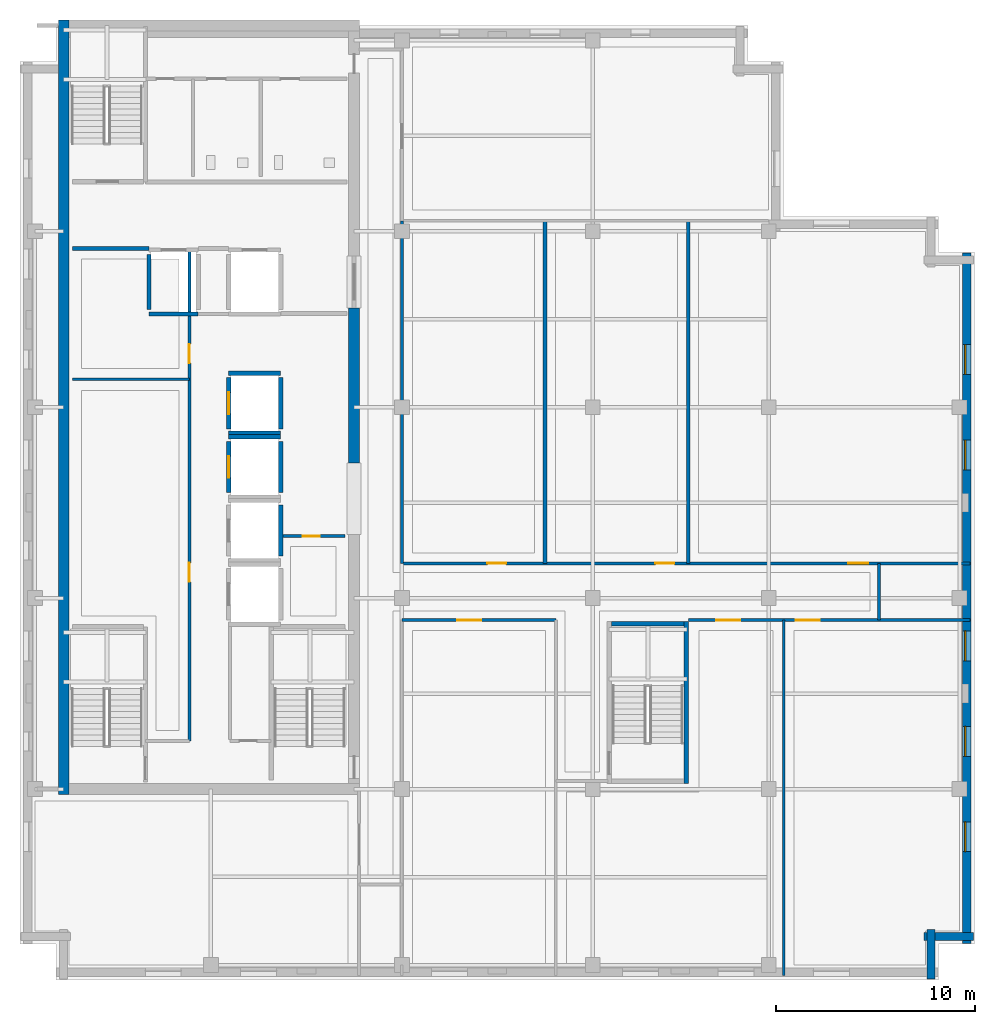
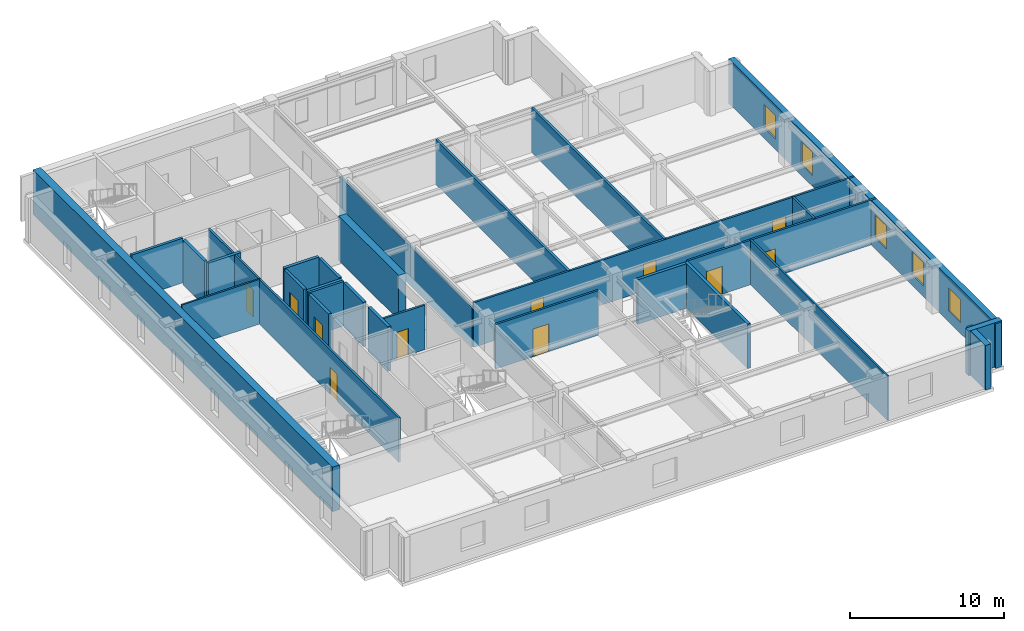
# One storey, part 4 of 10: 29 walls, 11 doors, 5 windows, 16 openings.
"""IFC4 building model written with IfcOpenShell, lengths in metres."""

import ifcopenshell
import ifcopenshell.guid

model = None  # the IFC model being written
_history = None  # IfcOwnerHistory: only IFC2X3 demands one
_inside = {}  # id of a spatial element -> (the spatial element, [elements in it])
_under = {}  # id of a project, library or spatial element -> (it, [spatial elements below it])
_declared = {}  # id of a project -> (the project, [libraries it declares])
_typed = {}  # id of a type object -> (the type object, [elements of that type])
_made_of = {}  # id of a material, layer set ... -> (it, [elements and type objects made of it])


def new_model(schema):
    """Start an empty IFC model of exactly this schema.

    Asked for "IFC4X3", IfcOpenShell would pick the latest addendum, in which some entities
    have other attributes; the version numbers below select the first issue.
    IFC2X3 requires an IfcOwnerHistory on every rooted entity: one is made here for all.
    """
    global model, _history
    if schema == "IFC4X3":
        model = ifcopenshell.file(schema_version=(4, 3, 0, 0))
    else:
        model = ifcopenshell.file(schema=schema)
    _inside.clear()
    _under.clear()
    _declared.clear()
    _typed.clear()
    _made_of.clear()
    _history = None
    if model.schema == "IFC2X3":
        org = make("IfcOrganization", Name="unknown")
        user = make(
            "IfcPersonAndOrganization",
            ThePerson=make("IfcPerson", FamilyName="unknown"),
            TheOrganization=org,
        )
        app = make(
            "IfcApplication",
            ApplicationDeveloper=org,
            Version="unknown",
            ApplicationFullName="unknown",
            ApplicationIdentifier="unknown",
        )
        _history = make(
            "IfcOwnerHistory",
            OwningUser=user,
            OwningApplication=app,
            ChangeAction="ADDED",
            CreationDate=0,
        )
    return model


def make(cls, **values):
    """One entity of the class cls with the attributes given. An attribute that is None is left unset."""
    return model.create_entity(
        cls, **{name: value for name, value in values.items() if value is not None}
    )


def rooted(cls, **values):
    """An entity with a GlobalId (a new one), such as an element, a storey or a relation."""
    return make(cls, GlobalId=ifcopenshell.guid.new(), OwnerHistory=_history, **values)


def si_unit(unit_type, name, prefix=None):
    """IfcSIUnit, for example si_unit("LENGTHUNIT", "METRE", prefix="MILLI")."""
    return make("IfcSIUnit", UnitType=unit_type, Prefix=prefix, Name=name)


def assignment(units):
    """IfcUnitAssignment: the units of a project."""
    return None if units is None else make("IfcUnitAssignment", Units=units)


def point(xyz):
    """IfcCartesianPoint."""
    return None if xyz is None else make("IfcCartesianPoint", Coordinates=xyz)


def direction(xyz):
    """IfcDirection."""
    return None if xyz is None else make("IfcDirection", DirectionRatios=xyz)


def frame(location, z_axis=None, x_axis=None):
    """IfcAxis2Placement3D, a coordinate frame: its origin and axes. An axis left out is left unset."""
    return make(
        "IfcAxis2Placement3D",
        Location=point(location),
        Axis=direction(z_axis),
        RefDirection=direction(x_axis),
    )


def frame_2d(location, x_axis=None):
    """IfcAxis2Placement2D, a coordinate frame in the plane: its origin and x axis."""
    return make(
        "IfcAxis2Placement2D", Location=point(location), RefDirection=direction(x_axis)
    )


def origin():
    """The frame at (0, 0, 0) with its axes left unset."""
    return frame((0.0, 0.0, 0.0))


def place(relative_to, where):
    """IfcLocalPlacement: puts the frame where relative to a parent placement (None: the world)."""
    return make(
        "IfcLocalPlacement", PlacementRelTo=relative_to, RelativePlacement=where
    )


def context(
    kind, dimensions, precision=None, world=None, true_north=None, identifier=None
):
    """IfcGeometricRepresentationContext, for example the 3D "Model" context."""
    return make(
        "IfcGeometricRepresentationContext",
        ContextIdentifier=identifier,
        ContextType=kind,
        CoordinateSpaceDimension=dimensions,
        Precision=precision,
        WorldCoordinateSystem=world,
        TrueNorth=true_north,
    )


def subcontext(parent, identifier, kind, view, scale=None):
    """IfcGeometricRepresentationSubContext, for example "Body" below "Model"."""
    return make(
        "IfcGeometricRepresentationSubContext",
        ContextIdentifier=identifier,
        ContextType=kind,
        ParentContext=parent,
        TargetScale=scale,
        TargetView=view,
    )


def project(units=None, contexts=None):
    """IfcProject with its units and contexts."""
    return rooted(
        "IfcProject",
        Name="project",
        RepresentationContexts=contexts,
        UnitsInContext=assignment(units),
    )


def spatial(cls, under=None, at=None, **own):
    """A site, building, storey or space (cls), placed at a placement, below another one or the project."""
    s = rooted(cls, ObjectPlacement=at, **own)
    if under is not None:
        _under.setdefault(under.id(), (under, []))[1].append(s)
    return s


def profile(cls, at=None, kind="AREA", **sizes):
    """A parametric profile (cls). Its sizes go by their IFC names, for example OverallWidth=200.0."""
    return make(cls, ProfileType=kind, Position=at, **sizes)


def rectangle(**sizes):
    """IfcRectangleProfileDef."""
    return profile("IfcRectangleProfileDef", **sizes)


def extrude(swept, where, along, depth):
    """IfcExtrudedAreaSolid: the profile swept, set in the frame where, extruded along a direction by depth."""
    return make(
        "IfcExtrudedAreaSolid",
        SweptArea=swept,
        Position=where,
        ExtrudedDirection=direction(along),
        Depth=depth,
    )


def shape(context_of_items, identifier, shape_type, items):
    """IfcShapeRepresentation: the items that make up one representation, for example the "Body"."""
    return make(
        "IfcShapeRepresentation",
        ContextOfItems=context_of_items,
        RepresentationIdentifier=identifier,
        RepresentationType=shape_type,
        Items=items,
    )


def material(Name=None, Category=None):
    """IfcMaterial."""
    return make("IfcMaterial", Name=Name, Category=Category)


def layer(
    of_material, thickness, ventilated=None, Name=None, Category=None, Priority=None
):
    """IfcMaterialLayer: one layer of a wall or slab, of a material (None: an air gap)."""
    return make(
        "IfcMaterialLayer",
        Material=of_material,
        LayerThickness=thickness,
        IsVentilated=ventilated,
        Name=Name,
        Category=Category,
        Priority=Priority,
    )


def layer_set(layers, Name=None):
    """IfcMaterialLayerSet."""
    return make("IfcMaterialLayerSet", MaterialLayers=layers, LayerSetName=Name)


def made_of(thing, what):
    """Note that an element or type object is made of a material, layer set ...; save() writes the relation."""
    if what is not None:
        _made_of.setdefault(what.id(), (what, []))[1].append(thing)
    return thing


def type_object(cls, material=None, **own):
    """A type object (cls), such as IfcWallType, which elements share."""
    return made_of(rooted(cls, **own), material)


def element(
    cls,
    number,
    at=None,
    inside=None,
    cuts=None,
    type_object=None,
    material=None,
    context=None,
    identifier="Body",
    shape_type=None,
    held_by="IfcProductDefinitionShape",
    body=None,
    shapes=None,
    **own,
):
    """One element of the class cls, such as IfcWall. Its Tag is "e" and its number.

    at: its placement. inside: the storey or other place that contains it. cuts: it is an
    opening in that element (IfcRelVoidsElement). A single representation is given by context,
    identifier, shape_type and body (its items); several are given by shapes. held_by: the class
    of the entity that holds the representations. save() writes the other relations.
    """
    e = rooted(cls, Tag="e%d" % number, ObjectPlacement=at, **own)
    if body is not None:
        shapes = [shape(context, identifier, shape_type, body)]
    if shapes is not None:
        e.Representation = make(held_by, Representations=shapes)
    if inside is not None:
        _inside.setdefault(inside.id(), (inside, []))[1].append(e)
    if cuts is not None:
        rooted(
            "IfcRelVoidsElement", RelatingBuildingElement=cuts, RelatedOpeningElement=e
        )
    if type_object is not None:
        _typed.setdefault(type_object.id(), (type_object, []))[1].append(e)
    return made_of(e, material)


def fill(opening, filler):
    """IfcRelFillsElement: the door or window that sits in an opening."""
    return rooted(
        "IfcRelFillsElement",
        RelatingOpeningElement=opening,
        RelatedBuildingElement=filler,
    )


def aggregate(whole, parts):
    """IfcRelAggregates: a whole, such as a stair, and the parts it consists of."""
    return rooted("IfcRelAggregates", RelatingObject=whole, RelatedObjects=parts)


def save(model, path):
    """Write the relations noted so far, then the file.

    IfcRelAggregates (storeys below a building ...), IfcRelContainedInSpatialStructure (elements
    in a storey), IfcRelDefinesByType, IfcRelAssociatesMaterial and IfcRelDeclares: one each for
    every whole, place, type object, material and project.
    """
    for whole, parts in _under.values():
        aggregate(whole, parts)
    for where, things in _inside.values():
        rooted(
            "IfcRelContainedInSpatialStructure",
            RelatedElements=things,
            RelatingStructure=where,
        )
    for kind, things in _typed.values():
        rooted("IfcRelDefinesByType", RelatedObjects=things, RelatingType=kind)
    for what, things in _made_of.values():
        rooted("IfcRelAssociatesMaterial", RelatedObjects=things, RelatingMaterial=what)
    for by, libraries in _declared.values():
        rooted("IfcRelDeclares", RelatingContext=by, RelatedDefinitions=libraries)
    model.write(path)


model = new_model("IFC4")

# Units and contexts
model_context = context("Model", 3, precision=1e-05, world=origin(), true_north=direction((0.0, 1.0)))
body_context = subcontext(model_context, "Body", "Model", "MODEL_VIEW")
ifc_project = project(units=[si_unit("LENGTHUNIT", "METRE"), si_unit("AREAUNIT", "SQUARE_METRE"), si_unit("VOLUMEUNIT", "CUBIC_METRE"), si_unit("PLANEANGLEUNIT", "RADIAN"), si_unit("MASSUNIT", "GRAM", prefix="KILO")], contexts=[model_context])

# Site, building, storey
site_placement = place(None, origin())
site = spatial("IfcSite", under=ifc_project, at=site_placement, CompositionType="ELEMENT")
building_placement = place(site_placement, origin())
building = spatial("IfcBuilding", under=site, at=building_placement, Name="Norrvale University Quadrangle", CompositionType="ELEMENT")
storey_placement = place(building_placement, frame((0.0, 0.0, 269.60009765625)))
storey = spatial("IfcBuildingStorey", under=building, at=storey_placement, Name="L68", CompositionType="ELEMENT", Elevation=269.60009765625)

# Walls
ifc_material_1 = material(Name="Buff Norman Clay Brick Masonry", Category="masonry")
ifc_layer_1 = layer(ifc_material_1, 0.419921875, Name="Buff Norman Clay Brick Masonry")
ifc_layer_set_1 = layer_set([ifc_layer_1], Name="Buff Norman Clay Brick Masonry")
wall_type_1 = type_object("IfcWallType", Name="Wall Buff Brick 420", PredefinedType="SOLIDWALL", material=ifc_layer_set_1)
for number, where, z_axis, x_axis, name in (
    (1, (45.81005859375, 0.0400390625, 0.0), (0.0, 0.0, 1.0), (0.0, 1.0, 0.0), "Exterior Brick Facade Wall L68-02.1"),
    (2, (45.4599609375, 2.18994140625, 0.0), (0.0, 0.0, 1.0), (1.0, 0.0, 0.0), "Exterior Brick Facade Wall L68-03.1"),
):
    element("IfcWall", number, at=place(storey_placement, frame(where, z_axis=z_axis, x_axis=x_axis)), inside=storey, type_object=wall_type_1, Name=name, PredefinedType="SOLIDWALL", context=body_context, shape_type="SweptSolid", body=[
        extrude(rectangle(XDim=2.5, YDim=0.419921875, at=frame_2d((1.25, 0.0))), origin(), (0.0, 0.0, 1.0), 3.539794921875),
    ])

# Wall, openings, windows
wall_1_placement = place(storey_placement, frame((47.610107421875, 1.840087890625, 0.0), z_axis=(0.0, 0.0, 1.0), x_axis=(0.0, 1.0, 0.0)))
wall_1 = element("IfcWall", 3, at=wall_1_placement, inside=storey, type_object=wall_type_1, Name="Exterior Brick Facade Wall L68-04.1", PredefinedType="SOLIDWALL", context=body_context, shape_type="SweptSolid", body=[
    extrude(rectangle(XDim=34.719970703125, YDim=0.419921875, at=frame_2d((17.35986328125, 0.0))), origin(), (0.0, 0.0, 1.0), 3.539794921875),
])
opening_1_placement = place(wall_1_placement, frame((4.610107421875, 0.0, 0.85009765625)))
opening_1 = element("IfcOpeningElement", 4, at=opening_1_placement, cuts=wall_1, Name="Opening W03", PredefinedType="OPENING", context=body_context, shape_type="SweptSolid", body=[
    extrude(rectangle(XDim=1.5, YDim=1.85009765625, at=frame_2d((0.75, 0.925048828125))), frame((0.0, 0.221923828125, 0.0), z_axis=(0.0, -1.0, 0.0), x_axis=(1.0, 0.0, 0.0)), (0.0, 0.0, 1.0), 0.44384765625),
])
opening_2_placement = place(wall_1_placement, frame((9.409912109375, 0.0, 0.85009765625)))
opening_2 = element("IfcOpeningElement", 5, at=opening_2_placement, cuts=wall_1, Name="Opening W03", PredefinedType="OPENING", context=body_context, shape_type="SweptSolid", body=[
    extrude(rectangle(XDim=1.5, YDim=1.85009765625, at=frame_2d((0.75, 0.925048828125))), frame((0.0, 0.221923828125, 0.0), z_axis=(0.0, -1.0, 0.0), x_axis=(1.0, 0.0, 0.0)), (0.0, 0.0, 1.0), 0.44384765625),
])
opening_3_placement = place(wall_1_placement, frame((14.2099609375, 0.0, 0.85009765625)))
opening_3 = element("IfcOpeningElement", 6, at=opening_3_placement, cuts=wall_1, Name="Opening W03", PredefinedType="OPENING", context=body_context, shape_type="SweptSolid", body=[
    extrude(rectangle(XDim=1.5, YDim=1.85009765625, at=frame_2d((0.75, 0.925048828125))), frame((0.0, 0.221923828125, 0.0), z_axis=(0.0, -1.0, 0.0), x_axis=(1.0, 0.0, 0.0)), (0.0, 0.0, 1.0), 0.44384765625),
])
opening_4_placement = place(wall_1_placement, frame((23.81005859375, 0.0, 0.85009765625)))
opening_4 = element("IfcOpeningElement", 7, at=opening_4_placement, cuts=wall_1, Name="Opening W03", PredefinedType="OPENING", context=body_context, shape_type="SweptSolid", body=[
    extrude(rectangle(XDim=1.5, YDim=1.85009765625, at=frame_2d((0.75, 0.925048828125))), frame((0.0, 0.221923828125, 0.0), z_axis=(0.0, -1.0, 0.0), x_axis=(1.0, 0.0, 0.0)), (0.0, 0.0, 1.0), 0.44384765625),
])
opening_5_placement = place(wall_1_placement, frame((28.610107421875, 0.0, 0.85009765625)))
opening_5 = element("IfcOpeningElement", 8, at=opening_5_placement, cuts=wall_1, Name="Opening W03", PredefinedType="OPENING", context=body_context, shape_type="SweptSolid", body=[
    extrude(rectangle(XDim=1.5, YDim=1.85009765625, at=frame_2d((0.75, 0.925048828125))), frame((0.0, 0.221923828125, 0.0), z_axis=(0.0, -1.0, 0.0), x_axis=(1.0, 0.0, 0.0)), (0.0, 0.0, 1.0), 0.44384765625),
])
ifc_material_2 = material(Name="Triple Low-E Argon Glazing", Category="glass")
window_type = type_object("IfcWindowType", Name="Window Studio 1500x2300", PartitioningType="DOUBLE_PANEL_VERTICAL", PredefinedType="WINDOW", material=ifc_material_2)
window_1_placement = place(opening_1_placement, origin())
window_1 = element("IfcWindow", 9, at=window_1_placement, inside=storey, type_object=window_type, Name="Window Studio 1500x2300 WIN-L68-E04-1-01", OverallHeight=1.85009765625, OverallWidth=1.5, PartitioningType="DOUBLE_PANEL_VERTICAL", PredefinedType="WINDOW", context=body_context, shape_type="SweptSolid", body=[
    extrude(rectangle(XDim=1.5, YDim=1.85009765625, at=frame_2d((0.75, 0.925048828125))), frame((0.0, 0.110107421875, 0.0), z_axis=(0.0, -1.0, 0.0), x_axis=(1.0, 0.0, 0.0)), (0.0, 0.0, 1.0), 0.06005859375),
])
fill(opening_1, window_1)
window_2_placement = place(opening_2_placement, origin())
window_2 = element("IfcWindow", 10, at=window_2_placement, inside=storey, type_object=window_type, Name="Window Studio 1500x2300 WIN-L68-E04-1-02", OverallHeight=1.85009765625, OverallWidth=1.5, PartitioningType="DOUBLE_PANEL_VERTICAL", PredefinedType="WINDOW", context=body_context, shape_type="SweptSolid", body=[
    extrude(rectangle(XDim=1.5, YDim=1.85009765625, at=frame_2d((0.75, 0.925048828125))), frame((0.0, 0.110107421875, 0.0), z_axis=(0.0, -1.0, 0.0), x_axis=(1.0, 0.0, 0.0)), (0.0, 0.0, 1.0), 0.06005859375),
])
fill(opening_2, window_2)
window_3_placement = place(opening_3_placement, origin())
window_3 = element("IfcWindow", 11, at=window_3_placement, inside=storey, type_object=window_type, Name="Window Studio 1500x2300 WIN-L68-E04-1-03", OverallHeight=1.85009765625, OverallWidth=1.5, PartitioningType="DOUBLE_PANEL_VERTICAL", PredefinedType="WINDOW", context=body_context, shape_type="SweptSolid", body=[
    extrude(rectangle(XDim=1.5, YDim=1.85009765625, at=frame_2d((0.75, 0.925048828125))), frame((0.0, 0.110107421875, 0.0), z_axis=(0.0, -1.0, 0.0), x_axis=(1.0, 0.0, 0.0)), (0.0, 0.0, 1.0), 0.06005859375),
])
fill(opening_3, window_3)
window_4_placement = place(opening_4_placement, origin())
window_4 = element("IfcWindow", 12, at=window_4_placement, inside=storey, type_object=window_type, Name="Window Studio 1500x2300 WIN-L68-E04-1-04", OverallHeight=1.85009765625, OverallWidth=1.5, PartitioningType="DOUBLE_PANEL_VERTICAL", PredefinedType="WINDOW", context=body_context, shape_type="SweptSolid", body=[
    extrude(rectangle(XDim=1.5, YDim=1.85009765625, at=frame_2d((0.75, 0.925048828125))), frame((0.0, 0.110107421875, 0.0), z_axis=(0.0, -1.0, 0.0), x_axis=(1.0, 0.0, 0.0)), (0.0, 0.0, 1.0), 0.06005859375),
])
fill(opening_4, window_4)
window_5_placement = place(opening_5_placement, origin())
window_5 = element("IfcWindow", 13, at=window_5_placement, inside=storey, type_object=window_type, Name="Window Studio 1500x2300 WIN-L68-E04-1-05", OverallHeight=1.85009765625, OverallWidth=1.5, PartitioningType="DOUBLE_PANEL_VERTICAL", PredefinedType="WINDOW", context=body_context, shape_type="SweptSolid", body=[
    extrude(rectangle(XDim=1.5, YDim=1.85009765625, at=frame_2d((0.75, 0.925048828125))), frame((0.0, 0.110107421875, 0.0), z_axis=(0.0, -1.0, 0.0), x_axis=(1.0, 0.0, 0.0)), (0.0, 0.0, 1.0), 0.06005859375),
])
fill(opening_5, window_5)

# Walls
ifc_material_3 = material(Name="Concrete C60/75", Category="concrete")
ifc_layer_2 = layer(ifc_material_3, 0.550048828125, Name="Concrete C60/75")
ifc_layer_set_2 = layer_set([ifc_layer_2], Name="Concrete C60/75")
wall_type_2 = type_object("IfcWallType", Name="Wall Core 550", PredefinedType="SHEAR", material=ifc_layer_set_2)
wall_2_placement = place(storey_placement, frame((2.199951171875, 9.324951171875, 0.0), z_axis=(0.0, 0.0, 1.0), x_axis=(0.0, 1.0, 0.0)))
element("IfcWall", 14, at=wall_2_placement, inside=storey, type_object=wall_type_2, Name="Tower Core Shear Wall L68-W", PredefinedType="SHEAR", context=body_context, shape_type="SweptSolid", body=[
    extrude(rectangle(XDim=38.949951171875, YDim=0.550048828125, at=frame_2d((19.47509765625, 0.0))), origin(), (0.0, 0.0, 1.0), 3.539794921875),
])
wall_3_placement = place(storey_placement, frame((16.800048828125, 26.0, 0.0), z_axis=(0.0, 0.0, 1.0), x_axis=(0.0, 1.0, 0.0)))
element("IfcWall", 15, at=wall_3_placement, inside=storey, type_object=wall_type_2, Name="Tower Core Shear Wall L68-E2", PredefinedType="SHEAR", context=body_context, shape_type="SweptSolid", body=[
    extrude(rectangle(XDim=7.800048828125, YDim=0.550048828125, at=frame_2d((3.89990234375, 0.0))), origin(), (0.0, 0.0, 1.0), 3.539794921875),
])
ifc_material_4 = material(Name="Standard Academic Gypsum Partition")
ifc_layer_3 = layer(ifc_material_4, 0.125, Name="Standard Academic Gypsum Partition")
ifc_layer_set_3 = layer_set([ifc_layer_3], Name="Standard Academic Gypsum Partition")
wall_type_3 = type_object("IfcWallType", Name="Wall Gypsum Academic 125", PredefinedType="PARTITIONING", material=ifc_layer_set_3)
wall_4_placement = place(storey_placement, frame((2.64990234375, 30.199951171875, 0.0), z_axis=(0.0, 0.0, 1.0), x_axis=(1.0, 0.0, 0.0)))
element("IfcWall", 16, at=wall_4_placement, inside=storey, type_object=wall_type_3, Name="Interior Partition WL-L68-REC-M", PredefinedType="PARTITIONING", context=body_context, shape_type="SweptSolid", body=[
    extrude(rectangle(XDim=5.8701171875, YDim=0.125, at=frame_2d((2.93505859375, 0.0))), origin(), (0.0, 0.0, 1.0), 3.539794921875),
])
wall_5_placement = place(storey_placement, frame((38.39990234375, 0.219970703125, 0.0), z_axis=(0.0, 0.0, 1.0), x_axis=(0.0, 1.0, 0.0)))
element("IfcWall", 17, at=wall_5_placement, inside=storey, type_object=wall_type_3, Name="Interior Partition WL-L68-SEP2", PredefinedType="PARTITIONING", context=body_context, shape_type="SweptSolid", body=[
    extrude(rectangle(XDim=17.880126953125, YDim=0.125, at=frame_2d((8.93994140625, 0.0))), origin(), (0.0, 0.0, 1.0), 3.539794921875),
])

# Wall, opening, door
ifc_material_5 = material(Name="Fire-Rated Gypsum Stud Partition")
ifc_layer_4 = layer(ifc_material_5, 0.14990234375, Name="Fire-Rated Gypsum Stud Partition")
ifc_layer_set_4 = layer_set([ifc_layer_4], Name="Fire-Rated Gypsum Stud Partition")
wall_type_4 = type_object("IfcWallType", Name="Wall Gypsum Corridor 150", PredefinedType="PARTITIONING", material=ifc_layer_set_4)
wall_6_placement = place(storey_placement, frame((13.22509765625, 22.320068359375, 0.0), z_axis=(0.0, 0.0, 1.0), x_axis=(1.0, 0.0, 0.0)))
wall_6 = element("IfcWall", 18, at=wall_6_placement, inside=storey, type_object=wall_type_4, Name="Interior Partition WL-L68-JAN-N", PredefinedType="PARTITIONING", context=body_context, shape_type="SweptSolid", body=[
    extrude(rectangle(XDim=3.119873046875, YDim=0.14990234375, at=frame_2d((1.56005859375, 0.0))), origin(), (0.0, 0.0, 1.0), 3.539794921875),
])
opening_6_placement = place(wall_6_placement, frame((1.0, 0.0, 0.0)))
opening_6 = element("IfcOpeningElement", 19, at=opening_6_placement, cuts=wall_6, Name="Opening D10", PredefinedType="OPENING", context=body_context, shape_type="SweptSolid", body=[
    extrude(rectangle(XDim=0.85009765625, YDim=2.10009765625, at=frame_2d((0.425048828125, 1.050048828125))), frame((0.0, 0.0869140625, 0.0), z_axis=(0.0, -1.0, 0.0), x_axis=(1.0, 0.0, 0.0)), (0.0, 0.0, 1.0), 0.173828125),
])
ifc_material_6 = material(Name="Hollow Steel 350W Riser Fire Door", Category="steel")
door_type_1 = type_object("IfcDoorType", Name="Door Riser 850x2100", OperationType="NOTDEFINED", PredefinedType="DOOR", material=ifc_material_6)
door_1_placement = place(opening_6_placement, origin())
door_1 = element("IfcDoor", 20, at=door_1_placement, inside=storey, type_object=door_type_1, Name="Door Riser 850x2100 DR-L68-JAN", OperationType="SINGLE_SWING_LEFT", OverallHeight=2.10009765625, OverallWidth=0.85009765625, PredefinedType="DOOR", context=body_context, shape_type="SweptSolid", body=[
    extrude(rectangle(XDim=0.85009765625, YDim=2.10009765625, at=frame_2d((0.425048828125, 1.050048828125))), frame((0.0, 0.02490234375, 0.0), z_axis=(0.0, -1.0, 0.0), x_axis=(1.0, 0.0, 0.0)), (0.0, 0.0, 1.0), 0.050048828125),
])
fill(opening_6, door_1)

# Wall, openings, doors
wall_7_placement = place(storey_placement, frame((8.52001953125, 12.02001953125, 0.0), z_axis=(0.0, 0.0, 1.0), x_axis=(0.0, 1.0, 0.0)))
wall_7 = element("IfcWall", 21, at=wall_7_placement, inside=storey, type_object=wall_type_4, Name="Interior Partition WL-L68-REC-E", PredefinedType="PARTITIONING", context=body_context, shape_type="SweptSolid", body=[
    extrude(rectangle(XDim=24.760009765625, YDim=0.14990234375, at=frame_2d((12.3798828125, 0.0))), origin(), (0.0, 0.0, 1.0), 3.539794921875),
])
opening_7_placement = place(wall_7_placement, frame((8.0, 0.0, 0.0)))
opening_7 = element("IfcOpeningElement", 22, at=opening_7_placement, cuts=wall_7, Name="Opening D07", PredefinedType="OPENING", context=body_context, shape_type="SweptSolid", body=[
    extrude(rectangle(XDim=0.949951171875, YDim=2.14990234375, at=frame_2d((0.47509765625, 1.074951171875))), frame((0.0, 0.0869140625, 0.0), z_axis=(0.0, -1.0, 0.0), x_axis=(1.0, 0.0, 0.0)), (0.0, 0.0, 1.0), 0.173828125),
])
opening_8_placement = place(wall_7_placement, frame((19.0, 0.0, 0.0)))
opening_8 = element("IfcOpeningElement", 23, at=opening_8_placement, cuts=wall_7, Name="Opening D07", PredefinedType="OPENING", context=body_context, shape_type="SweptSolid", body=[
    extrude(rectangle(XDim=0.949951171875, YDim=2.14990234375, at=frame_2d((0.47509765625, 1.074951171875))), frame((0.0, 0.0869140625, 0.0), z_axis=(0.0, -1.0, 0.0), x_axis=(1.0, 0.0, 0.0)), (0.0, 0.0, 1.0), 0.173828125),
])
ifc_material_7 = material(Name="Solid-Core Maple Door", Category="wood")
door_type_2 = type_object("IfcDoorType", Name="Door Office 950x2150", OperationType="NOTDEFINED", PredefinedType="DOOR", material=ifc_material_7)
door_2_placement = place(opening_7_placement, origin())
door_2 = element("IfcDoor", 24, at=door_2_placement, inside=storey, type_object=door_type_2, Name="Door Office 950x2150 DR-L68-REC1", OperationType="SINGLE_SWING_LEFT", OverallHeight=2.14990234375, OverallWidth=0.949951171875, PredefinedType="DOOR", context=body_context, shape_type="SweptSolid", body=[
    extrude(rectangle(XDim=0.949951171875, YDim=2.14990234375, at=frame_2d((0.47509765625, 1.074951171875))), frame((0.0, 0.02490234375, 0.0), z_axis=(0.0, -1.0, 0.0), x_axis=(1.0, 0.0, 0.0)), (0.0, 0.0, 1.0), 0.050048828125),
])
fill(opening_7, door_2)
door_3_placement = place(opening_8_placement, origin())
door_3 = element("IfcDoor", 25, at=door_3_placement, inside=storey, type_object=door_type_2, Name="Door Office 950x2150 DR-L68-REC2", OperationType="SINGLE_SWING_RIGHT", OverallHeight=2.14990234375, OverallWidth=0.949951171875, PredefinedType="DOOR", context=body_context, shape_type="SweptSolid", body=[
    extrude(rectangle(XDim=0.949951171875, YDim=2.14990234375, at=frame_2d((0.47509765625, 1.074951171875))), frame((0.0, 0.02490234375, 0.0), z_axis=(0.0, -1.0, 0.0), x_axis=(1.0, 0.0, 0.0)), (0.0, 0.0, 1.0), 0.050048828125),
])
fill(opening_8, door_3)

# Wall
wall_8_placement = place(storey_placement, frame((43.199951171875, 18.10009765625, 0.0), z_axis=(0.0, 0.0, 1.0), x_axis=(0.0, 1.0, 0.0)))
element("IfcWall", 26, at=wall_8_placement, inside=storey, type_object=wall_type_4, Name="Interior Partition WL-L68-CESP-E", PredefinedType="PARTITIONING", context=body_context, shape_type="SweptSolid", body=[
    extrude(rectangle(XDim=2.849853515625, YDim=0.14990234375, at=frame_2d((1.4248046875, 0.0))), origin(), (0.0, 0.0, 1.0), 3.539794921875),
])

# Wall, opening, door
wall_9_placement = place(storey_placement, frame((19.199951171875, 18.10009765625, 0.0), z_axis=(0.0, 0.0, 1.0), x_axis=(1.0, 0.0, 0.0)))
wall_9 = element("IfcWall", 27, at=wall_9_placement, inside=storey, type_object=wall_type_4, Name="Interior Partition WL-L68-SEW1", PredefinedType="PARTITIONING", context=body_context, shape_type="SweptSolid", body=[
    extrude(rectangle(XDim=7.75, YDim=0.14990234375, at=frame_2d((3.875, 0.0))), origin(), (0.0, 0.0, 1.0), 3.539794921875),
])
opening_9_placement = place(wall_9_placement, frame((2.800048828125, 0.0, 0.0)))
opening_9 = element("IfcOpeningElement", 28, at=opening_9_placement, cuts=wall_9, Name="Opening D05", PredefinedType="OPENING", context=body_context, shape_type="SweptSolid", body=[
    extrude(rectangle(XDim=1.199951171875, YDim=2.199951171875, at=frame_2d((0.60009765625, 1.10009765625))), frame((0.0, 0.0869140625, 0.0), z_axis=(0.0, -1.0, 0.0), x_axis=(1.0, 0.0, 0.0)), (0.0, 0.0, 1.0), 0.173828125),
])
ifc_material_8 = material(Name="Acoustic Oak Classroom Door", Category="wood")
door_type_3 = type_object("IfcDoorType", Name="Door Classroom 1200x2200", OperationType="NOTDEFINED", PredefinedType="DOOR", material=ifc_material_8)
door_4_placement = place(opening_9_placement, origin())
door_4 = element("IfcDoor", 29, at=door_4_placement, inside=storey, type_object=door_type_3, Name="Door Classroom 1200x2200 DR-L68-SE1", OperationType="SINGLE_SWING_LEFT", OverallHeight=2.199951171875, OverallWidth=1.199951171875, PredefinedType="DOOR", context=body_context, shape_type="SweptSolid", body=[
    extrude(rectangle(XDim=1.199951171875, YDim=2.199951171875, at=frame_2d((0.60009765625, 1.10009765625))), frame((0.0, 0.02490234375, 0.0), z_axis=(0.0, -1.0, 0.0), x_axis=(1.0, 0.0, 0.0)), (0.0, 0.0, 1.0), 0.050048828125),
])
fill(opening_9, door_4)

# Wall, openings, doors
wall_10_placement = place(storey_placement, frame((33.6201171875, 18.10009765625, 0.0), z_axis=(0.0, 0.0, 1.0), x_axis=(1.0, 0.0, 0.0)))
wall_10 = element("IfcWall", 30, at=wall_10_placement, inside=storey, type_object=wall_type_4, Name="Interior Partition WL-L68-SEW2", PredefinedType="PARTITIONING", context=body_context, shape_type="SweptSolid", body=[
    extrude(rectangle(XDim=14.159912109375, YDim=0.14990234375, at=frame_2d((7.080078125, 0.0))), origin(), (0.0, 0.0, 1.0), 3.539794921875),
])
opening_10_placement = place(wall_10_placement, frame((1.39990234375, 0.0, 0.0)))
opening_10 = element("IfcOpeningElement", 31, at=opening_10_placement, cuts=wall_10, Name="Opening D05", PredefinedType="OPENING", context=body_context, shape_type="SweptSolid", body=[
    extrude(rectangle(XDim=1.199951171875, YDim=2.199951171875, at=frame_2d((0.60009765625, 1.10009765625))), frame((0.0, 0.0869140625, 0.0), z_axis=(0.0, -1.0, 0.0), x_axis=(1.0, 0.0, 0.0)), (0.0, 0.0, 1.0), 0.173828125),
])
opening_11_placement = place(wall_10_placement, frame((5.39990234375, 0.0, 0.0)))
opening_11 = element("IfcOpeningElement", 32, at=opening_11_placement, cuts=wall_10, Name="Opening D05", PredefinedType="OPENING", context=body_context, shape_type="SweptSolid", body=[
    extrude(rectangle(XDim=1.199951171875, YDim=2.199951171875, at=frame_2d((0.60009765625, 1.10009765625))), frame((0.0, 0.0869140625, 0.0), z_axis=(0.0, -1.0, 0.0), x_axis=(1.0, 0.0, 0.0)), (0.0, 0.0, 1.0), 0.173828125),
])
door_5_placement = place(opening_10_placement, origin())
door_5 = element("IfcDoor", 33, at=door_5_placement, inside=storey, type_object=door_type_3, Name="Door Classroom 1200x2200 DR-L68-SE2", OperationType="SINGLE_SWING_RIGHT", OverallHeight=2.199951171875, OverallWidth=1.199951171875, PredefinedType="DOOR", context=body_context, shape_type="SweptSolid", body=[
    extrude(rectangle(XDim=1.199951171875, YDim=2.199951171875, at=frame_2d((0.60009765625, 1.10009765625))), frame((0.0, 0.02490234375, 0.0), z_axis=(0.0, -1.0, 0.0), x_axis=(1.0, 0.0, 0.0)), (0.0, 0.0, 1.0), 0.050048828125),
])
fill(opening_10, door_5)
door_6_placement = place(opening_11_placement, origin())
door_6 = element("IfcDoor", 34, at=door_6_placement, inside=storey, type_object=door_type_3, Name="Door Classroom 1200x2200 DR-L68-SE3", OperationType="SINGLE_SWING_LEFT", OverallHeight=2.199951171875, OverallWidth=1.199951171875, PredefinedType="DOOR", context=body_context, shape_type="SweptSolid", body=[
    extrude(rectangle(XDim=1.199951171875, YDim=2.199951171875, at=frame_2d((0.60009765625, 1.10009765625))), frame((0.0, 0.02490234375, 0.0), z_axis=(0.0, -1.0, 0.0), x_axis=(1.0, 0.0, 0.0)), (0.0, 0.0, 1.0), 0.050048828125),
])
fill(opening_11, door_6)

wall_11_placement = place(storey_placement, frame((19.199951171875, 20.949951171875, 0.0), z_axis=(0.0, 0.0, 1.0), x_axis=(1.0, 0.0, 0.0)))
wall_11 = element("IfcWall", 35, at=wall_11_placement, inside=storey, type_object=wall_type_4, Name="Interior Partition WL-L68-MECW", PredefinedType="PARTITIONING", context=body_context, shape_type="SweptSolid", body=[
    extrude(rectangle(XDim=28.580078125, YDim=0.14990234375, at=frame_2d((14.2900390625, 0.0))), origin(), (0.0, 0.0, 1.0), 3.539794921875),
])
opening_12_placement = place(wall_11_placement, frame((4.300048828125, 0.0, 0.0)))
opening_12 = element("IfcOpeningElement", 36, at=opening_12_placement, cuts=wall_11, Name="Opening D07", PredefinedType="OPENING", context=body_context, shape_type="SweptSolid", body=[
    extrude(rectangle(XDim=0.949951171875, YDim=2.14990234375, at=frame_2d((0.47509765625, 1.074951171875))), frame((0.0, 0.0869140625, 0.0), z_axis=(0.0, -1.0, 0.0), x_axis=(1.0, 0.0, 0.0)), (0.0, 0.0, 1.0), 0.173828125),
])
opening_13_placement = place(wall_11_placement, frame((12.75, 0.0, 0.0)))
opening_13 = element("IfcOpeningElement", 37, at=opening_13_placement, cuts=wall_11, Name="Opening D07", PredefinedType="OPENING", context=body_context, shape_type="SweptSolid", body=[
    extrude(rectangle(XDim=0.949951171875, YDim=2.14990234375, at=frame_2d((0.47509765625, 1.074951171875))), frame((0.0, 0.0869140625, 0.0), z_axis=(0.0, -1.0, 0.0), x_axis=(1.0, 0.0, 0.0)), (0.0, 0.0, 1.0), 0.173828125),
])
opening_14_placement = place(wall_11_placement, frame((22.449951171875, 0.0, 0.0)))
opening_14 = element("IfcOpeningElement", 38, at=opening_14_placement, cuts=wall_11, Name="Opening D04", PredefinedType="OPENING", context=body_context, shape_type="SweptSolid", body=[
    extrude(rectangle(XDim=1.0, YDim=2.199951171875, at=frame_2d((0.5, 1.10009765625))), frame((0.0, 0.0869140625, 0.0), z_axis=(0.0, -1.0, 0.0), x_axis=(1.0, 0.0, 0.0)), (0.0, 0.0, 1.0), 0.173828125),
])
ifc_material_9 = material(Name="Solid-Core Oak Fire Door", Category="wood")
door_type_4 = type_object("IfcDoorType", Name="Door Corridor 1000x2200", OperationType="NOTDEFINED", PredefinedType="DOOR", material=ifc_material_9)
door_7_placement = place(opening_14_placement, origin())
door_7 = element("IfcDoor", 39, at=door_7_placement, inside=storey, type_object=door_type_4, Name="Door Corridor 1000x2200 DR-L68-ME03", OperationType="SINGLE_SWING_LEFT", OverallHeight=2.199951171875, OverallWidth=1.0, PredefinedType="DOOR", context=body_context, shape_type="SweptSolid", body=[
    extrude(rectangle(XDim=1.0, YDim=2.199951171875, at=frame_2d((0.5, 1.10009765625))), frame((0.0, 0.02490234375, 0.0), z_axis=(0.0, -1.0, 0.0), x_axis=(1.0, 0.0, 0.0)), (0.0, 0.0, 1.0), 0.050048828125),
])
fill(opening_14, door_7)
door_8_placement = place(opening_12_placement, origin())
door_8 = element("IfcDoor", 40, at=door_8_placement, inside=storey, type_object=door_type_2, Name="Door Office 950x2150 DR-L68-ME01", OperationType="SINGLE_SWING_LEFT", OverallHeight=2.14990234375, OverallWidth=0.949951171875, PredefinedType="DOOR", context=body_context, shape_type="SweptSolid", body=[
    extrude(rectangle(XDim=0.949951171875, YDim=2.14990234375, at=frame_2d((0.47509765625, 1.074951171875))), frame((0.0, 0.02490234375, 0.0), z_axis=(0.0, -1.0, 0.0), x_axis=(1.0, 0.0, 0.0)), (0.0, 0.0, 1.0), 0.050048828125),
])
fill(opening_12, door_8)
door_9_placement = place(opening_13_placement, origin())
door_9 = element("IfcDoor", 41, at=door_9_placement, inside=storey, type_object=door_type_2, Name="Door Office 950x2150 DR-L68-ME02", OperationType="SINGLE_SWING_RIGHT", OverallHeight=2.14990234375, OverallWidth=0.949951171875, PredefinedType="DOOR", context=body_context, shape_type="SweptSolid", body=[
    extrude(rectangle(XDim=0.949951171875, YDim=2.14990234375, at=frame_2d((0.47509765625, 1.074951171875))), frame((0.0, 0.02490234375, 0.0), z_axis=(0.0, -1.0, 0.0), x_axis=(1.0, 0.0, 0.0)), (0.0, 0.0, 1.0), 0.050048828125),
])
fill(opening_13, door_9)

# Walls
wall_12_placement = place(storey_placement, frame((19.199951171875, 20.949951171875, 0.0), z_axis=(0.0, 0.0, 1.0), x_axis=(0.0, 1.0, 0.0)))
element("IfcWall", 42, at=wall_12_placement, inside=storey, type_object=wall_type_4, Name="Interior Partition WL-L68-ME-W", PredefinedType="PARTITIONING", context=body_context, shape_type="SweptSolid", body=[
    extrude(rectangle(XDim=17.22998046875, YDim=0.14990234375, at=frame_2d((8.614990234375, 0.0))), origin(), (0.0, 0.0, 1.0), 3.122802734375),
])
ifc_material_10 = material(Name="Acoustic Double-Stud Gypsum Partition")
ifc_layer_5 = layer(ifc_material_10, 0.179931640625, Name="Acoustic Double-Stud Gypsum Partition")
ifc_layer_set_5 = layer_set([ifc_layer_5], Name="Acoustic Double-Stud Gypsum Partition")
wall_type_5 = type_object("IfcWallType", Name="Wall Gypsum Lecture 180", PredefinedType="PARTITIONING", material=ifc_layer_set_5)
for number, where, z_axis, x_axis, name in (
    (43, (26.39990234375, 20.949951171875, 0.0), (0.0, 0.0, 1.0), (0.0, 1.0, 0.0), "Interior Partition WL-L68-MEP01"),
    (44, (33.60009765625, 20.949951171875, 0.0), (0.0, 0.0, 1.0), (0.0, 1.0, 0.0), "Interior Partition WL-L68-MEP02"),
):
    element("IfcWall", number, at=place(storey_placement, frame(where, z_axis=z_axis, x_axis=x_axis)), inside=storey, type_object=wall_type_5, Name=name, PredefinedType="PARTITIONING", context=body_context, shape_type="SweptSolid", body=[
        extrude(rectangle(XDim=17.22998046875, YDim=0.179931640625, at=frame_2d((8.614990234375, 0.0))), origin(), (0.0, 0.0, 1.0), 3.539794921875),
    ])
ifc_material_11 = material(Name="Concrete Blockwork 20 MPa Rated Wall", Category="masonry")
ifc_layer_6 = layer(ifc_material_11, 0.199951171875, Name="Concrete Blockwork 20 MPa Rated Wall")
ifc_layer_set_6 = layer_set([ifc_layer_6], Name="Concrete Blockwork 20 MPa Rated Wall")
wall_type_6 = type_object("IfcWallType", Name="Wall Lobby 200", PredefinedType="SOLIDWALL", material=ifc_layer_set_6)
wall_13_placement = place(storey_placement, frame((2.64990234375, 36.780029296875, 0.0), z_axis=(0.0, 0.0, 1.0), x_axis=(1.0, 0.0, 0.0)))
element("IfcWall", 45, at=wall_13_placement, inside=storey, type_object=wall_type_6, Name="Interior Partition WL-L68-FF1", PredefinedType="SOLIDWALL", context=body_context, shape_type="SweptSolid", body=[
    extrude(rectangle(XDim=3.830078125, YDim=0.199951171875, at=frame_2d((1.9150390625, 0.0))), origin(), (0.0, 0.0, 1.0), 3.539794921875),
])
ifc_material_12 = material(Name="Concrete Blockwork 20 MPa Fire Shaft", Category="masonry")
ifc_layer_7 = layer(ifc_material_12, 0.219970703125, Name="Concrete Blockwork 20 MPa Fire Shaft")
ifc_layer_set_7 = layer_set([ifc_layer_7], Name="Concrete Blockwork 20 MPa Fire Shaft")
wall_type_7 = type_object("IfcWallType", Name="Wall Shaft 220", PredefinedType="SOLIDWALL", material=ifc_layer_set_7)
wall_14_placement = place(storey_placement, frame((33.510009765625, 9.8798828125, 0.0), z_axis=(0.0, 0.0, 1.0), x_axis=(0.0, 1.0, 0.0)))
element("IfcWall", 46, at=wall_14_placement, inside=storey, type_object=wall_type_7, Name="Stair ST-04 East Shaft Wall L68", PredefinedType="SOLIDWALL", context=body_context, shape_type="SweptSolid", body=[
    extrude(rectangle(XDim=8.14013671875, YDim=0.219970703125, at=frame_2d((4.070068359375, 0.0))), origin(), (0.0, 0.0, 1.0), 3.539794921875),
])
wall_15_placement = place(storey_placement, frame((29.75, 17.909912109375, 0.0), z_axis=(0.0, 0.0, 1.0), x_axis=(1.0, 0.0, 0.0)))
element("IfcWall", 47, at=wall_15_placement, inside=storey, type_object=wall_type_7, Name="Stair ST-04 North Shaft Wall L68", PredefinedType="SOLIDWALL", context=body_context, shape_type="SweptSolid", body=[
    extrude(rectangle(XDim=3.64990234375, YDim=0.219970703125, at=frame_2d((1.824951171875, 0.0))), origin(), (0.0, 0.0, 1.0), 3.539794921875),
])
wall_16_placement = place(storey_placement, frame((13.110107421875, 21.31005859375, 0.0), z_axis=(0.0, 0.0, 1.0), x_axis=(0.0, 1.0, 0.0)))
element("IfcWall", 48, at=wall_16_placement, inside=storey, type_object=wall_type_7, Name="Hoistway PL-06 East Wall L68", PredefinedType="SOLIDWALL", context=body_context, shape_type="SweptSolid", body=[
    extrude(rectangle(XDim=2.579833984375, YDim=0.219970703125, at=frame_2d((1.2900390625, 0.0))), origin(), (0.0, 0.0, 1.0), 3.539794921875),
])

# Wall, opening, door
wall_17_placement = place(storey_placement, frame((10.489990234375, 24.510009765625, 0.0), z_axis=(0.0, 0.0, 1.0), x_axis=(0.0, 1.0, 0.0)))
wall_17 = element("IfcWall", 49, at=wall_17_placement, inside=storey, type_object=wall_type_7, Name="Hoistway PL-07 West Wall L68", PredefinedType="SOLIDWALL", context=body_context, shape_type="SweptSolid", body=[
    extrude(rectangle(XDim=2.580078125, YDim=0.219970703125, at=frame_2d((1.2900390625, 0.0))), origin(), (0.0, 0.0, 1.0), 3.539794921875),
])
opening_15_placement = place(wall_17_placement, frame((0.739990234375, 0.0, 0.0)))
opening_15 = element("IfcOpeningElement", 50, at=opening_15_placement, cuts=wall_17, Name="Opening LD1", PredefinedType="OPENING", context=body_context, shape_type="SweptSolid", body=[
    extrude(rectangle(XDim=1.10009765625, YDim=2.199951171875, at=frame_2d((0.550048828125, 1.10009765625))), frame((0.0, 0.1220703125, 0.0), z_axis=(0.0, -1.0, 0.0), x_axis=(1.0, 0.0, 0.0)), (0.0, 0.0, 1.0), 0.243896484375),
])
ifc_material_13 = material(Name="Stainless Steel 316L Lift Landing Door", Category="steel")
door_type_5 = type_object("IfcDoorType", Name="Door Lift Landing 1100x2200", OperationType="DOUBLE_DOOR_SLIDING", PredefinedType="DOOR", material=ifc_material_13)
door_10_placement = place(opening_15_placement, origin())
door_10 = element("IfcDoor", 51, at=door_10_placement, inside=storey, type_object=door_type_5, Name="Elevator Landing Door DR-L68-PL-07", OperationType="DOUBLE_DOOR_SLIDING", OverallHeight=2.199951171875, OverallWidth=1.10009765625, PredefinedType="DOOR", context=body_context, shape_type="SweptSolid", body=[
    extrude(rectangle(XDim=1.10009765625, YDim=2.199951171875, at=frame_2d((0.550048828125, 1.10009765625))), frame((0.0, 0.02490234375, 0.0), z_axis=(0.0, -1.0, 0.0), x_axis=(1.0, 0.0, 0.0)), (0.0, 0.0, 1.0), 0.050048828125),
])
fill(opening_15, door_10)

# Walls
wall_18_placement = place(storey_placement, frame((13.110107421875, 24.510009765625, 0.0), z_axis=(0.0, 0.0, 1.0), x_axis=(0.0, 1.0, 0.0)))
element("IfcWall", 52, at=wall_18_placement, inside=storey, type_object=wall_type_7, Name="Hoistway PL-07 East Wall L68", PredefinedType="SOLIDWALL", context=body_context, shape_type="SweptSolid", body=[
    extrude(rectangle(XDim=2.580078125, YDim=0.219970703125, at=frame_2d((1.2900390625, 0.0))), origin(), (0.0, 0.0, 1.0), 3.539794921875),
])
wall_19_placement = place(storey_placement, frame((10.489990234375, 27.31005859375, 0.0), z_axis=(0.0, 0.0, 1.0), x_axis=(1.0, 0.0, 0.0)))
element("IfcWall", 53, at=wall_19_placement, inside=storey, type_object=wall_type_7, Name="Hoistway PL-07 North Wall L68", PredefinedType="SOLIDWALL", context=body_context, shape_type="SweptSolid", body=[
    extrude(rectangle(XDim=2.6201171875, YDim=0.219970703125, at=frame_2d((1.31005859375, 0.0))), origin(), (0.0, 0.0, 1.0), 3.539794921875),
])

# Wall, opening, door
wall_20_placement = place(storey_placement, frame((10.489990234375, 27.7099609375, 0.0), z_axis=(0.0, 0.0, 1.0), x_axis=(0.0, 1.0, 0.0)))
wall_20 = element("IfcWall", 54, at=wall_20_placement, inside=storey, type_object=wall_type_7, Name="Hoistway PL-08 West Wall L68", PredefinedType="SOLIDWALL", context=body_context, shape_type="SweptSolid", body=[
    extrude(rectangle(XDim=2.580078125, YDim=0.219970703125, at=frame_2d((1.2900390625, 0.0))), origin(), (0.0, 0.0, 1.0), 3.539794921875),
])
opening_16_placement = place(wall_20_placement, frame((0.739990234375, 0.0, 0.0)))
opening_16 = element("IfcOpeningElement", 55, at=opening_16_placement, cuts=wall_20, Name="Opening LD1", PredefinedType="OPENING", context=body_context, shape_type="SweptSolid", body=[
    extrude(rectangle(XDim=1.10009765625, YDim=2.199951171875, at=frame_2d((0.550048828125, 1.10009765625))), frame((0.0, 0.1220703125, 0.0), z_axis=(0.0, -1.0, 0.0), x_axis=(1.0, 0.0, 0.0)), (0.0, 0.0, 1.0), 0.243896484375),
])
door_11_placement = place(opening_16_placement, origin())
door_11 = element("IfcDoor", 56, at=door_11_placement, inside=storey, type_object=door_type_5, Name="Elevator Landing Door DR-L68-PL-08", OperationType="DOUBLE_DOOR_SLIDING", OverallHeight=2.199951171875, OverallWidth=1.10009765625, PredefinedType="DOOR", context=body_context, shape_type="SweptSolid", body=[
    extrude(rectangle(XDim=1.10009765625, YDim=2.199951171875, at=frame_2d((0.550048828125, 1.10009765625))), frame((0.0, 0.02490234375, 0.0), z_axis=(0.0, -1.0, 0.0), x_axis=(1.0, 0.0, 0.0)), (0.0, 0.0, 1.0), 0.050048828125),
])
fill(opening_16, door_11)

# Walls
wall_21_placement = place(storey_placement, frame((13.110107421875, 27.7099609375, 0.0), z_axis=(0.0, 0.0, 1.0), x_axis=(0.0, 1.0, 0.0)))
element("IfcWall", 57, at=wall_21_placement, inside=storey, type_object=wall_type_7, Name="Hoistway PL-08 East Wall L68", PredefinedType="SOLIDWALL", context=body_context, shape_type="SweptSolid", body=[
    extrude(rectangle(XDim=2.580078125, YDim=0.219970703125, at=frame_2d((1.2900390625, 0.0))), origin(), (0.0, 0.0, 1.0), 3.539794921875),
])
for number, where, z_axis, x_axis, name in (
    (58, (10.489990234375, 27.489990234375, 0.0), (0.0, 0.0, 1.0), (1.0, 0.0, 0.0), "Hoistway PL-08 South Wall L68"),
    (59, (10.489990234375, 30.510009765625, 0.0), (0.0, 0.0, 1.0), (1.0, 0.0, 0.0), "Hoistway PL-08 North Wall L68"),
):
    element("IfcWall", number, at=place(storey_placement, frame(where, z_axis=z_axis, x_axis=x_axis)), inside=storey, type_object=wall_type_7, Name=name, PredefinedType="SOLIDWALL", context=body_context, shape_type="SweptSolid", body=[
        extrude(rectangle(XDim=2.6201171875, YDim=0.219970703125, at=frame_2d((1.31005859375, 0.0))), origin(), (0.0, 0.0, 1.0), 3.539794921875),
    ])
wall_22_placement = place(storey_placement, frame((6.489990234375, 33.7099609375, 0.0), z_axis=(0.0, 0.0, 1.0), x_axis=(0.0, 1.0, 0.0)))
element("IfcWall", 60, at=wall_22_placement, inside=storey, type_object=wall_type_7, Name="Hoistway FFL-01 West Wall L68", PredefinedType="SOLIDWALL", context=body_context, shape_type="SweptSolid", body=[
    extrude(rectangle(XDim=2.780029296875, YDim=0.219970703125, at=frame_2d((1.39013671875, 0.0))), origin(), (0.0, 0.0, 1.0), 3.539794921875),
])
wall_23_placement = place(storey_placement, frame((6.489990234375, 33.489990234375, 0.0), z_axis=(0.0, 0.0, 1.0), x_axis=(1.0, 0.0, 0.0)))
element("IfcWall", 61, at=wall_23_placement, inside=storey, type_object=wall_type_7, Name="Hoistway FFL-01 South Wall L68", PredefinedType="SOLIDWALL", context=body_context, shape_type="SweptSolid", body=[
    extrude(rectangle(XDim=2.469970703125, YDim=0.219970703125, at=frame_2d((1.23486328125, 0.0))), origin(), (0.0, 0.0, 1.0), 3.539794921875),
])

save(model, "model.ifc")
